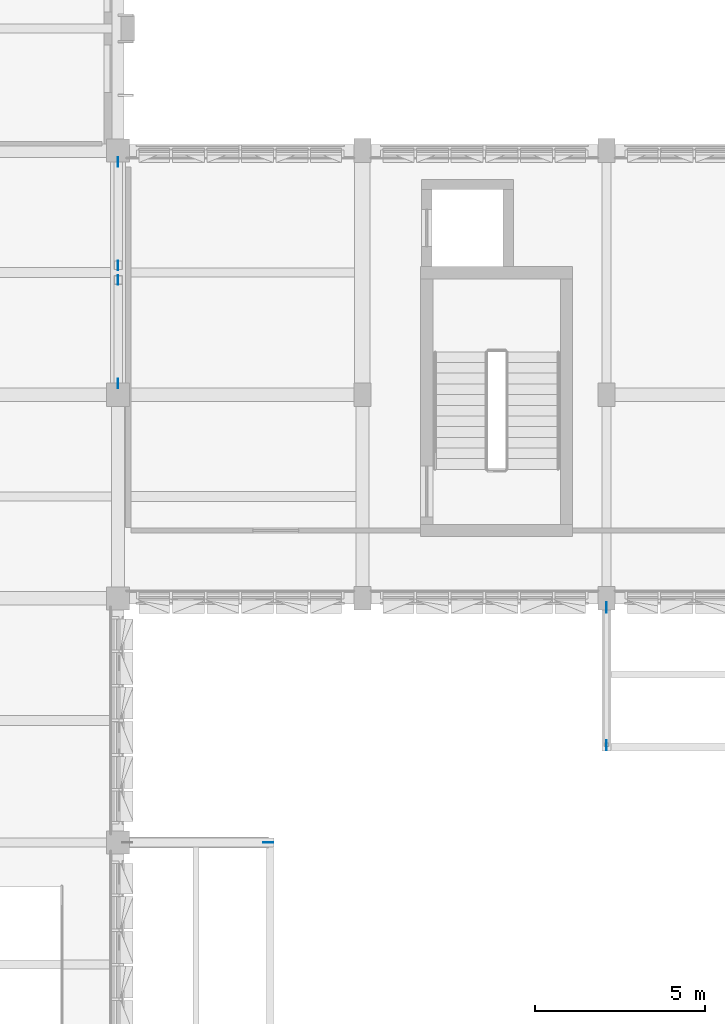
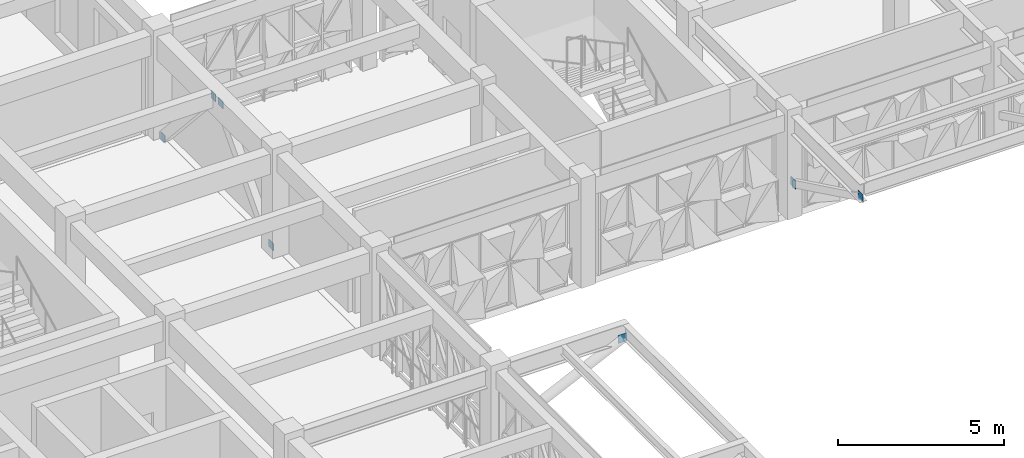
# One storey, part 40 of 88: 7 plates.
"""IFC4 building model written with IfcOpenShell, lengths in metres."""

import ifcopenshell
import ifcopenshell.guid

model = None  # the IFC model being written
_history = None  # IfcOwnerHistory: only IFC2X3 demands one
_inside = {}  # id of a spatial element -> (the spatial element, [elements in it])
_under = {}  # id of a project, library or spatial element -> (it, [spatial elements below it])
_declared = {}  # id of a project -> (the project, [libraries it declares])
_typed = {}  # id of a type object -> (the type object, [elements of that type])
_made_of = {}  # id of a material, layer set ... -> (it, [elements and type objects made of it])


def new_model(schema):
    """Start an empty IFC model of exactly this schema.

    Asked for "IFC4X3", IfcOpenShell would pick the latest addendum, in which some entities
    have other attributes; the version numbers below select the first issue.
    IFC2X3 requires an IfcOwnerHistory on every rooted entity: one is made here for all.
    """
    global model, _history
    if schema == "IFC4X3":
        model = ifcopenshell.file(schema_version=(4, 3, 0, 0))
    else:
        model = ifcopenshell.file(schema=schema)
    _inside.clear()
    _under.clear()
    _declared.clear()
    _typed.clear()
    _made_of.clear()
    _history = None
    if model.schema == "IFC2X3":
        org = make("IfcOrganization", Name="unknown")
        user = make(
            "IfcPersonAndOrganization",
            ThePerson=make("IfcPerson", FamilyName="unknown"),
            TheOrganization=org,
        )
        app = make(
            "IfcApplication",
            ApplicationDeveloper=org,
            Version="unknown",
            ApplicationFullName="unknown",
            ApplicationIdentifier="unknown",
        )
        _history = make(
            "IfcOwnerHistory",
            OwningUser=user,
            OwningApplication=app,
            ChangeAction="ADDED",
            CreationDate=0,
        )
    return model


def make(cls, **values):
    """One entity of the class cls with the attributes given. An attribute that is None is left unset."""
    return model.create_entity(
        cls, **{name: value for name, value in values.items() if value is not None}
    )


def rooted(cls, **values):
    """An entity with a GlobalId (a new one), such as an element, a storey or a relation."""
    return make(cls, GlobalId=ifcopenshell.guid.new(), OwnerHistory=_history, **values)


def si_unit(unit_type, name, prefix=None):
    """IfcSIUnit, for example si_unit("LENGTHUNIT", "METRE", prefix="MILLI")."""
    return make("IfcSIUnit", UnitType=unit_type, Prefix=prefix, Name=name)


def assignment(units):
    """IfcUnitAssignment: the units of a project."""
    return None if units is None else make("IfcUnitAssignment", Units=units)


def point(xyz):
    """IfcCartesianPoint."""
    return None if xyz is None else make("IfcCartesianPoint", Coordinates=xyz)


def direction(xyz):
    """IfcDirection."""
    return None if xyz is None else make("IfcDirection", DirectionRatios=xyz)


def frame(location, z_axis=None, x_axis=None):
    """IfcAxis2Placement3D, a coordinate frame: its origin and axes. An axis left out is left unset."""
    return make(
        "IfcAxis2Placement3D",
        Location=point(location),
        Axis=direction(z_axis),
        RefDirection=direction(x_axis),
    )


def origin():
    """The frame at (0, 0, 0) with its axes left unset."""
    return frame((0.0, 0.0, 0.0))


def place(relative_to, where):
    """IfcLocalPlacement: puts the frame where relative to a parent placement (None: the world)."""
    return make(
        "IfcLocalPlacement", PlacementRelTo=relative_to, RelativePlacement=where
    )


def context(
    kind, dimensions, precision=None, world=None, true_north=None, identifier=None
):
    """IfcGeometricRepresentationContext, for example the 3D "Model" context."""
    return make(
        "IfcGeometricRepresentationContext",
        ContextIdentifier=identifier,
        ContextType=kind,
        CoordinateSpaceDimension=dimensions,
        Precision=precision,
        WorldCoordinateSystem=world,
        TrueNorth=true_north,
    )


def subcontext(parent, identifier, kind, view, scale=None):
    """IfcGeometricRepresentationSubContext, for example "Body" below "Model"."""
    return make(
        "IfcGeometricRepresentationSubContext",
        ContextIdentifier=identifier,
        ContextType=kind,
        ParentContext=parent,
        TargetScale=scale,
        TargetView=view,
    )


def project(units=None, contexts=None):
    """IfcProject with its units and contexts."""
    return rooted(
        "IfcProject",
        Name="project",
        RepresentationContexts=contexts,
        UnitsInContext=assignment(units),
    )


def spatial(cls, under=None, at=None, **own):
    """A site, building, storey or space (cls), placed at a placement, below another one or the project."""
    s = rooted(cls, ObjectPlacement=at, **own)
    if under is not None:
        _under.setdefault(under.id(), (under, []))[1].append(s)
    return s


def polyline(points):
    """IfcPolyline through the points."""
    return make("IfcPolyline", Points=[point(p) for p in points])


def outline(outer, holes=None, kind="AREA"):
    """IfcArbitraryClosedProfileDef: a profile drawn as a closed curve; with holes, ...WithVoids."""
    if holes is None:
        return make("IfcArbitraryClosedProfileDef", ProfileType=kind, OuterCurve=outer)
    return make(
        "IfcArbitraryProfileDefWithVoids",
        ProfileType=kind,
        OuterCurve=outer,
        InnerCurves=holes,
    )


def extrude(swept, where, along, depth):
    """IfcExtrudedAreaSolid: the profile swept, set in the frame where, extruded along a direction by depth."""
    return make(
        "IfcExtrudedAreaSolid",
        SweptArea=swept,
        Position=where,
        ExtrudedDirection=direction(along),
        Depth=depth,
    )


def shape(context_of_items, identifier, shape_type, items):
    """IfcShapeRepresentation: the items that make up one representation, for example the "Body"."""
    return make(
        "IfcShapeRepresentation",
        ContextOfItems=context_of_items,
        RepresentationIdentifier=identifier,
        RepresentationType=shape_type,
        Items=items,
    )


def material(Name=None, Category=None):
    """IfcMaterial."""
    return make("IfcMaterial", Name=Name, Category=Category)


def layer(
    of_material, thickness, ventilated=None, Name=None, Category=None, Priority=None
):
    """IfcMaterialLayer: one layer of a wall or slab, of a material (None: an air gap)."""
    return make(
        "IfcMaterialLayer",
        Material=of_material,
        LayerThickness=thickness,
        IsVentilated=ventilated,
        Name=Name,
        Category=Category,
        Priority=Priority,
    )


def layer_set(layers, Name=None):
    """IfcMaterialLayerSet."""
    return make("IfcMaterialLayerSet", MaterialLayers=layers, LayerSetName=Name)


def made_of(thing, what):
    """Note that an element or type object is made of a material, layer set ...; save() writes the relation."""
    if what is not None:
        _made_of.setdefault(what.id(), (what, []))[1].append(thing)
    return thing


def type_object(cls, material=None, **own):
    """A type object (cls), such as IfcWallType, which elements share."""
    return made_of(rooted(cls, **own), material)


def element(
    cls,
    number,
    at=None,
    inside=None,
    cuts=None,
    type_object=None,
    material=None,
    context=None,
    identifier="Body",
    shape_type=None,
    held_by="IfcProductDefinitionShape",
    body=None,
    shapes=None,
    **own,
):
    """One element of the class cls, such as IfcWall. Its Tag is "e" and its number.

    at: its placement. inside: the storey or other place that contains it. cuts: it is an
    opening in that element (IfcRelVoidsElement). A single representation is given by context,
    identifier, shape_type and body (its items); several are given by shapes. held_by: the class
    of the entity that holds the representations. save() writes the other relations.
    """
    e = rooted(cls, Tag="e%d" % number, ObjectPlacement=at, **own)
    if body is not None:
        shapes = [shape(context, identifier, shape_type, body)]
    if shapes is not None:
        e.Representation = make(held_by, Representations=shapes)
    if inside is not None:
        _inside.setdefault(inside.id(), (inside, []))[1].append(e)
    if cuts is not None:
        rooted(
            "IfcRelVoidsElement", RelatingBuildingElement=cuts, RelatedOpeningElement=e
        )
    if type_object is not None:
        _typed.setdefault(type_object.id(), (type_object, []))[1].append(e)
    return made_of(e, material)


def aggregate(whole, parts):
    """IfcRelAggregates: a whole, such as a stair, and the parts it consists of."""
    return rooted("IfcRelAggregates", RelatingObject=whole, RelatedObjects=parts)


def save(model, path):
    """Write the relations noted so far, then the file.

    IfcRelAggregates (storeys below a building ...), IfcRelContainedInSpatialStructure (elements
    in a storey), IfcRelDefinesByType, IfcRelAssociatesMaterial and IfcRelDeclares: one each for
    every whole, place, type object, material and project.
    """
    for whole, parts in _under.values():
        aggregate(whole, parts)
    for where, things in _inside.values():
        rooted(
            "IfcRelContainedInSpatialStructure",
            RelatedElements=things,
            RelatingStructure=where,
        )
    for kind, things in _typed.values():
        rooted("IfcRelDefinesByType", RelatedObjects=things, RelatingType=kind)
    for what, things in _made_of.values():
        rooted("IfcRelAssociatesMaterial", RelatedObjects=things, RelatingMaterial=what)
    for by, libraries in _declared.values():
        rooted("IfcRelDeclares", RelatingContext=by, RelatedDefinitions=libraries)
    model.write(path)


model = new_model("IFC4")

# Units and contexts
model_context = context("Model", 3, precision=1e-05, world=origin(), true_north=direction((0.0, 1.0)))
body_context = subcontext(model_context, "Body", "Model", "MODEL_VIEW")
ifc_project = project(units=[si_unit("LENGTHUNIT", "METRE"), si_unit("AREAUNIT", "SQUARE_METRE"), si_unit("VOLUMEUNIT", "CUBIC_METRE"), si_unit("PLANEANGLEUNIT", "RADIAN"), si_unit("MASSUNIT", "GRAM", prefix="KILO")], contexts=[model_context])

# Site, building, storey
site_placement = place(None, origin())
site = spatial("IfcSite", under=ifc_project, at=site_placement, CompositionType="ELEMENT")
building_placement = place(site_placement, origin())
building = spatial("IfcBuilding", under=site, at=building_placement, Name="Alvorim Cloister Faculty of Sciences", CompositionType="ELEMENT")
storey_placement = place(building_placement, frame((0.0, 0.0, 4.5)))
storey = spatial("IfcBuildingStorey", under=building, at=storey_placement, Name="L01", CompositionType="ELEMENT", Elevation=4.5)

# Plates
ifc_material = material(Name="Steel ASTM A572 Grade 50", Category="steel")
ifc_layer_1 = layer(ifc_material, 0.01611328125)
ifc_layer_set_1 = layer_set([ifc_layer_1], Name="Steel ASTM A572 Grade 50")
plate_type_1 = type_object("IfcPlateType", Name="PL-CAP-16", PredefinedType="SHEET", material=ifc_layer_set_1)
for number, where, z_axis, x_axis, name in (
    (1, (28.800048828125, 49.39453125, -0.14599609375), (0.0, 0.0, 1.0), (0.0, 1.0, 0.0), "Hollow Steel End Plate ND-06"),
    (2, (28.800048828125, 52.4453125, 3.23095703125), (0.0, 0.0, 1.0), (0.0, 1.0, 0.0), "Hollow Steel End Plate ND-06"),
    (3, (28.800048828125, 56.205322265625, -0.14599609375), (0.0, 0.0, 1.0), (0.0, -1.0, 0.0), "Hollow Steel End Plate ND-06"),
    (4, (28.800048828125, 53.154541015625, 3.23095703125), (0.0, 0.0, 1.0), (0.0, -1.0, 0.0), "Hollow Steel End Plate ND-06"),
):
    element("IfcPlate", number, at=place(storey_placement, frame(where, z_axis=z_axis, x_axis=x_axis)), inside=storey, type_object=plate_type_1, Name=name, PredefinedType="SHEET", context=body_context, shape_type="SweptSolid", body=[
        extrude(outline(polyline([(0.0, 0.0), (0.280029296875, 0.0), (0.280029296875, 0.280029296875), (0.0, 0.280029296875), (0.0, 0.0)])), frame((0.0, 0.008056640625, 0.0), z_axis=(0.0, -1.0, 0.0), x_axis=(1.0, 0.0, 0.0)), (0.0, 0.0, 1.0), 0.01611328125),
    ])
ifc_layer_2 = layer(ifc_material, 0.02001953125)
ifc_layer_set_2 = layer_set([ifc_layer_2], Name="Steel ASTM A572 Grade 50")
plate_type_2 = type_object("IfcPlateType", Name="PL-GUS-20", PredefinedType="SHEET", material=ifc_layer_set_2)
for number, where, z_axis, x_axis, name in (
    (5, (33.0791015625, 36.0, 3.064208984375), (0.0, 0.0, 1.0), (1.0, 0.0, 0.0), "Hollow Steel End Plate ND-01"),
    (6, (43.199951171875, 43.0791015625, 1.095703125), (0.0, 0.0, 1.0), (0.0, -1.0, 0.0), "Hollow Steel End Plate ND-02"),
):
    element("IfcPlate", number, at=place(storey_placement, frame(where, z_axis=z_axis, x_axis=x_axis)), inside=storey, type_object=plate_type_2, Name=name, PredefinedType="SHEET", context=body_context, shape_type="SweptSolid", body=[
        extrude(outline(polyline([(0.0, 0.0), (0.300048828125, 0.0), (0.300048828125, 0.300048828125), (0.0, 0.300048828125), (0.0, 0.0)])), frame((0.0, 0.010009765625, 0.0), z_axis=(0.0, -1.0, 0.0), x_axis=(1.0, 0.0, 0.0)), (0.0, 0.0, 1.0), 0.02001953125),
    ])
plate_placement = place(storey_placement, frame((43.199951171875, 39.02099609375, 3.064453125), z_axis=(0.0, 0.0, 1.0), x_axis=(0.0, -1.0, 0.0)))
element("IfcPlate", 7, at=plate_placement, inside=storey, type_object=plate_type_2, Name="Hollow Steel End Plate ND-02", PredefinedType="SHEET", context=body_context, shape_type="SweptSolid", body=[
    extrude(outline(polyline([(0.0, 0.0), (0.300048828125, 0.0), (0.300048828125, 0.2998046875), (0.0, 0.2998046875), (0.0, 0.0)])), frame((0.0, 0.010009765625, 0.0), z_axis=(0.0, -1.0, 0.0), x_axis=(1.0, 0.0, 0.0)), (0.0, 0.0, 1.0), 0.02001953125),
])

save(model, "model.ifc")
